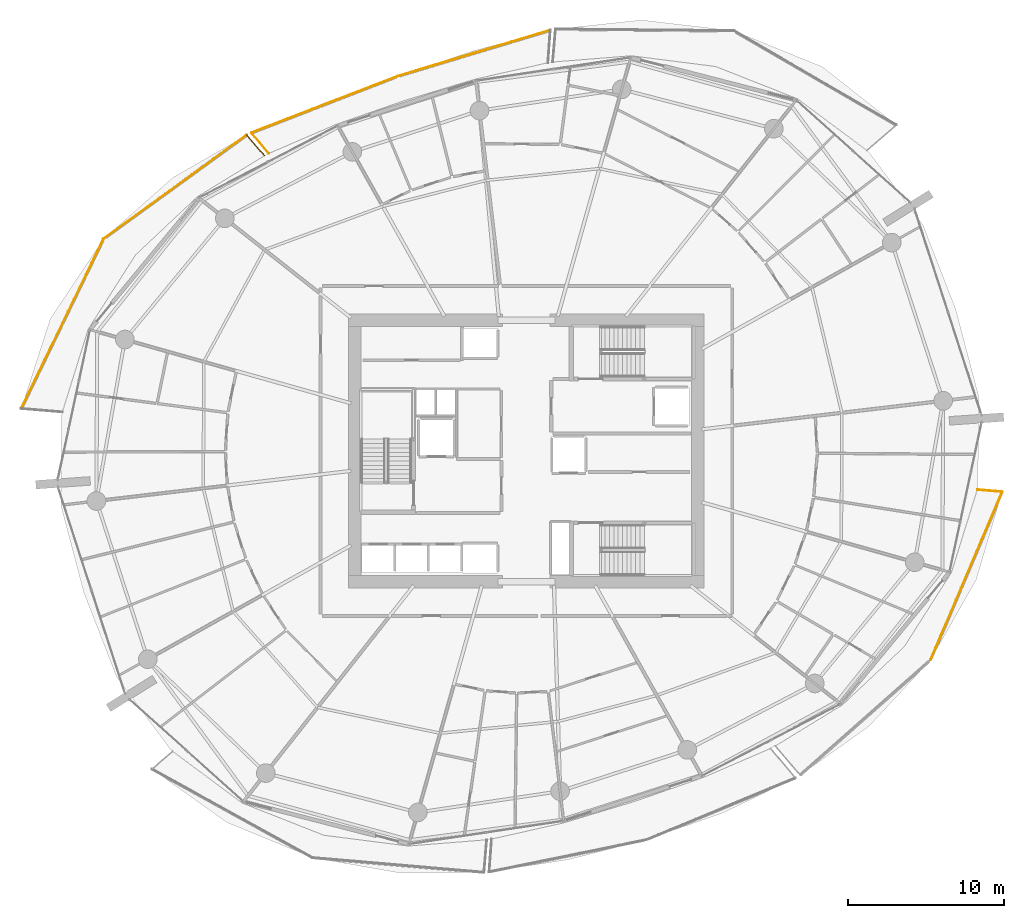
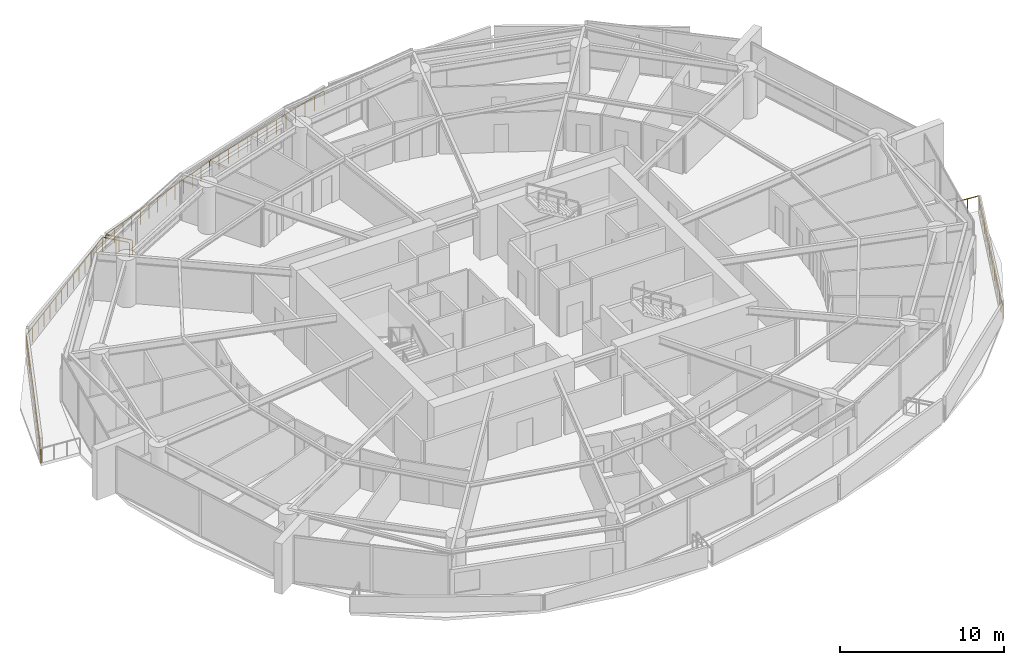
# One storey, part 21 of 23: 8 railings.
"""IFC4 building model written with IfcOpenShell, lengths in metres."""

import ifcopenshell
import ifcopenshell.guid

model = None  # the IFC model being written
_history = None  # IfcOwnerHistory: only IFC2X3 demands one
_inside = {}  # id of a spatial element -> (the spatial element, [elements in it])
_under = {}  # id of a project, library or spatial element -> (it, [spatial elements below it])
_declared = {}  # id of a project -> (the project, [libraries it declares])
_typed = {}  # id of a type object -> (the type object, [elements of that type])
_made_of = {}  # id of a material, layer set ... -> (it, [elements and type objects made of it])


def new_model(schema):
    """Start an empty IFC model of exactly this schema.

    Asked for "IFC4X3", IfcOpenShell would pick the latest addendum, in which some entities
    have other attributes; the version numbers below select the first issue.
    IFC2X3 requires an IfcOwnerHistory on every rooted entity: one is made here for all.
    """
    global model, _history
    if schema == "IFC4X3":
        model = ifcopenshell.file(schema_version=(4, 3, 0, 0))
    else:
        model = ifcopenshell.file(schema=schema)
    _inside.clear()
    _under.clear()
    _declared.clear()
    _typed.clear()
    _made_of.clear()
    _history = None
    if model.schema == "IFC2X3":
        org = make("IfcOrganization", Name="unknown")
        user = make(
            "IfcPersonAndOrganization",
            ThePerson=make("IfcPerson", FamilyName="unknown"),
            TheOrganization=org,
        )
        app = make(
            "IfcApplication",
            ApplicationDeveloper=org,
            Version="unknown",
            ApplicationFullName="unknown",
            ApplicationIdentifier="unknown",
        )
        _history = make(
            "IfcOwnerHistory",
            OwningUser=user,
            OwningApplication=app,
            ChangeAction="ADDED",
            CreationDate=0,
        )
    return model


def make(cls, **values):
    """One entity of the class cls with the attributes given. An attribute that is None is left unset."""
    return model.create_entity(
        cls, **{name: value for name, value in values.items() if value is not None}
    )


def rooted(cls, **values):
    """An entity with a GlobalId (a new one), such as an element, a storey or a relation."""
    return make(cls, GlobalId=ifcopenshell.guid.new(), OwnerHistory=_history, **values)


def si_unit(unit_type, name, prefix=None):
    """IfcSIUnit, for example si_unit("LENGTHUNIT", "METRE", prefix="MILLI")."""
    return make("IfcSIUnit", UnitType=unit_type, Prefix=prefix, Name=name)


def assignment(units):
    """IfcUnitAssignment: the units of a project."""
    return None if units is None else make("IfcUnitAssignment", Units=units)


def point(xyz):
    """IfcCartesianPoint."""
    return None if xyz is None else make("IfcCartesianPoint", Coordinates=xyz)


def direction(xyz):
    """IfcDirection."""
    return None if xyz is None else make("IfcDirection", DirectionRatios=xyz)


def frame(location, z_axis=None, x_axis=None):
    """IfcAxis2Placement3D, a coordinate frame: its origin and axes. An axis left out is left unset."""
    return make(
        "IfcAxis2Placement3D",
        Location=point(location),
        Axis=direction(z_axis),
        RefDirection=direction(x_axis),
    )


def frame_2d(location, x_axis=None):
    """IfcAxis2Placement2D, a coordinate frame in the plane: its origin and x axis."""
    return make(
        "IfcAxis2Placement2D", Location=point(location), RefDirection=direction(x_axis)
    )


def origin():
    """The frame at (0, 0, 0) with its axes left unset."""
    return frame((0.0, 0.0, 0.0))


def origin_2d():
    """The frame at (0, 0) in the plane with its x axis left unset."""
    return frame_2d((0.0, 0.0))


def place(relative_to, where):
    """IfcLocalPlacement: puts the frame where relative to a parent placement (None: the world)."""
    return make(
        "IfcLocalPlacement", PlacementRelTo=relative_to, RelativePlacement=where
    )


def context(
    kind, dimensions, precision=None, world=None, true_north=None, identifier=None
):
    """IfcGeometricRepresentationContext, for example the 3D "Model" context."""
    return make(
        "IfcGeometricRepresentationContext",
        ContextIdentifier=identifier,
        ContextType=kind,
        CoordinateSpaceDimension=dimensions,
        Precision=precision,
        WorldCoordinateSystem=world,
        TrueNorth=true_north,
    )


def subcontext(parent, identifier, kind, view, scale=None):
    """IfcGeometricRepresentationSubContext, for example "Body" below "Model"."""
    return make(
        "IfcGeometricRepresentationSubContext",
        ContextIdentifier=identifier,
        ContextType=kind,
        ParentContext=parent,
        TargetScale=scale,
        TargetView=view,
    )


def project(units=None, contexts=None):
    """IfcProject with its units and contexts."""
    return rooted(
        "IfcProject",
        Name="project",
        RepresentationContexts=contexts,
        UnitsInContext=assignment(units),
    )


def spatial(cls, under=None, at=None, **own):
    """A site, building, storey or space (cls), placed at a placement, below another one or the project."""
    s = rooted(cls, ObjectPlacement=at, **own)
    if under is not None:
        _under.setdefault(under.id(), (under, []))[1].append(s)
    return s


def profile(cls, at=None, kind="AREA", **sizes):
    """A parametric profile (cls). Its sizes go by their IFC names, for example OverallWidth=200.0."""
    return make(cls, ProfileType=kind, Position=at, **sizes)


def rectangle(**sizes):
    """IfcRectangleProfileDef."""
    return profile("IfcRectangleProfileDef", **sizes)


def extrude(swept, where, along, depth):
    """IfcExtrudedAreaSolid: the profile swept, set in the frame where, extruded along a direction by depth."""
    return make(
        "IfcExtrudedAreaSolid",
        SweptArea=swept,
        Position=where,
        ExtrudedDirection=direction(along),
        Depth=depth,
    )


def shape(context_of_items, identifier, shape_type, items):
    """IfcShapeRepresentation: the items that make up one representation, for example the "Body"."""
    return make(
        "IfcShapeRepresentation",
        ContextOfItems=context_of_items,
        RepresentationIdentifier=identifier,
        RepresentationType=shape_type,
        Items=items,
    )


def material(Name=None, Category=None):
    """IfcMaterial."""
    return make("IfcMaterial", Name=Name, Category=Category)


def made_of(thing, what):
    """Note that an element or type object is made of a material, layer set ...; save() writes the relation."""
    if what is not None:
        _made_of.setdefault(what.id(), (what, []))[1].append(thing)
    return thing


def type_object(cls, material=None, **own):
    """A type object (cls), such as IfcWallType, which elements share."""
    return made_of(rooted(cls, **own), material)


def element(
    cls,
    number,
    at=None,
    inside=None,
    cuts=None,
    type_object=None,
    material=None,
    context=None,
    identifier="Body",
    shape_type=None,
    held_by="IfcProductDefinitionShape",
    body=None,
    shapes=None,
    **own,
):
    """One element of the class cls, such as IfcWall. Its Tag is "e" and its number.

    at: its placement. inside: the storey or other place that contains it. cuts: it is an
    opening in that element (IfcRelVoidsElement). A single representation is given by context,
    identifier, shape_type and body (its items); several are given by shapes. held_by: the class
    of the entity that holds the representations. save() writes the other relations.
    """
    e = rooted(cls, Tag="e%d" % number, ObjectPlacement=at, **own)
    if body is not None:
        shapes = [shape(context, identifier, shape_type, body)]
    if shapes is not None:
        e.Representation = make(held_by, Representations=shapes)
    if inside is not None:
        _inside.setdefault(inside.id(), (inside, []))[1].append(e)
    if cuts is not None:
        rooted(
            "IfcRelVoidsElement", RelatingBuildingElement=cuts, RelatedOpeningElement=e
        )
    if type_object is not None:
        _typed.setdefault(type_object.id(), (type_object, []))[1].append(e)
    return made_of(e, material)


def aggregate(whole, parts):
    """IfcRelAggregates: a whole, such as a stair, and the parts it consists of."""
    return rooted("IfcRelAggregates", RelatingObject=whole, RelatedObjects=parts)


def save(model, path):
    """Write the relations noted so far, then the file.

    IfcRelAggregates (storeys below a building ...), IfcRelContainedInSpatialStructure (elements
    in a storey), IfcRelDefinesByType, IfcRelAssociatesMaterial and IfcRelDeclares: one each for
    every whole, place, type object, material and project.
    """
    for whole, parts in _under.values():
        aggregate(whole, parts)
    for where, things in _inside.values():
        rooted(
            "IfcRelContainedInSpatialStructure",
            RelatedElements=things,
            RelatingStructure=where,
        )
    for kind, things in _typed.values():
        rooted("IfcRelDefinesByType", RelatedObjects=things, RelatingType=kind)
    for what, things in _made_of.values():
        rooted("IfcRelAssociatesMaterial", RelatedObjects=things, RelatingMaterial=what)
    for by, libraries in _declared.values():
        rooted("IfcRelDeclares", RelatingContext=by, RelatedDefinitions=libraries)
    model.write(path)


model = new_model("IFC4")

# Units and contexts
model_context = context("Model", 3, precision=1e-05, world=origin(), true_north=direction((0.0, 1.0)))
body_context = subcontext(model_context, "Body", "Model", "MODEL_VIEW")
ifc_project = project(units=[si_unit("LENGTHUNIT", "METRE"), si_unit("AREAUNIT", "SQUARE_METRE"), si_unit("VOLUMEUNIT", "CUBIC_METRE"), si_unit("PLANEANGLEUNIT", "RADIAN"), si_unit("MASSUNIT", "GRAM", prefix="KILO")], contexts=[model_context])

# Site, building, storey
site_placement = place(None, origin())
site = spatial("IfcSite", under=ifc_project, at=site_placement, CompositionType="ELEMENT")
building_placement = place(site_placement, origin())
building = spatial("IfcBuilding", under=site, at=building_placement, Name="Kazma Halo Residences", CompositionType="ELEMENT")
storey_placement = place(building_placement, frame((0.0, 0.0, 101.39990234375)))
storey = spatial("IfcBuildingStorey", under=building, at=storey_placement, Name="L25", CompositionType="ELEMENT", Elevation=101.39990234375)

# Railings
ifc_material = material(Name="Aluminium AW-6063 T6 Brushed Cap Rail", Category="aluminium")
railing_type = type_object("IfcRailingType", Name="RLG-BAL-CAP-1120", PredefinedType="BALUSTRADE", material=ifc_material)
railing_1_placement = place(storey_placement, frame((49.961669921875, 69.035888671875, 0.0)))
element("IfcRailing", 1, at=railing_1_placement, inside=storey, type_object=railing_type, Name="L25 NNW wave balcony guard 2", PredefinedType="BALUSTRADE", context=body_context, shape_type="SweptSolid", body=[
    extrude(rectangle(XDim=0.050048828125, YDim=0.050048828125, at=origin_2d()), frame((-0.040771484375, -0.01220703125, 1.09521484375), z_axis=(-0.957357003907, -0.288907540694, 0.0), x_axis=(0.288907540694, -0.957357003907, 0.0)), (0.0, 0.0, 1.0), 10.137451171875),
    extrude(rectangle(XDim=0.0400390625, YDim=0.0400390625, at=origin_2d()), origin(), (0.0, 0.0, 1.0), 1.05810546875),
    extrude(rectangle(XDim=0.0400390625, YDim=0.0400390625, at=origin_2d()), frame((-0.8154296875, -0.24609375, 0.0)), (0.0, 0.0, 1.0), 1.05810546875),
    extrude(rectangle(XDim=0.0400390625, YDim=0.0400390625, at=origin_2d()), frame((-1.631103515625, -0.4921875, 0.0)), (0.0, 0.0, 1.0), 1.05810546875),
    extrude(rectangle(XDim=0.0400390625, YDim=0.0400390625, at=origin_2d()), frame((-2.44677734375, -0.73828125, 0.0)), (0.0, 0.0, 1.0), 1.05810546875),
    extrude(rectangle(XDim=0.0400390625, YDim=0.0400390625, at=origin_2d()), frame((-3.26220703125, -0.984375, 0.0)), (0.0, 0.0, 1.0), 1.05810546875),
    extrude(rectangle(XDim=0.0400390625, YDim=0.0400390625, at=origin_2d()), frame((-4.07763671875, -1.23046875, 0.0)), (0.0, 0.0, 1.0), 1.05810546875),
    extrude(rectangle(XDim=0.0400390625, YDim=0.0400390625, at=origin_2d()), frame((-4.893310546875, -1.4765625, 0.0)), (0.0, 0.0, 1.0), 1.05810546875),
    extrude(rectangle(XDim=0.0400390625, YDim=0.0400390625, at=origin_2d()), frame((-5.708984375, -1.722900390625, 0.0)), (0.0, 0.0, 1.0), 1.05810546875),
    extrude(rectangle(XDim=0.0400390625, YDim=0.0400390625, at=origin_2d()), frame((-6.5244140625, -1.968994140625, 0.0)), (0.0, 0.0, 1.0), 1.05810546875),
    extrude(rectangle(XDim=0.0400390625, YDim=0.0400390625, at=origin_2d()), frame((-7.33984375, -2.215087890625, 0.0)), (0.0, 0.0, 1.0), 1.05810546875),
    extrude(rectangle(XDim=0.0400390625, YDim=0.0400390625, at=origin_2d()), frame((-8.155517578125, -2.461181640625, 0.0)), (0.0, 0.0, 1.0), 1.05810546875),
    extrude(rectangle(XDim=0.0400390625, YDim=0.0400390625, at=origin_2d()), frame((-8.97119140625, -2.707275390625, 0.0)), (0.0, 0.0, 1.0), 1.05810546875),
    extrude(rectangle(XDim=0.0400390625, YDim=0.0400390625, at=origin_2d()), frame((-9.78662109375, -2.953369140625, 0.0)), (0.0, 0.0, 1.0), 1.05810546875),
])
railing_2_placement = place(storey_placement, frame((40.175048828125, 66.08251953125, 0.0)))
element("IfcRailing", 2, at=railing_2_placement, inside=storey, type_object=railing_type, Name="L25 NNW wave balcony guard 3", PredefinedType="BALUSTRADE", context=body_context, shape_type="SweptSolid", body=[
    extrude(rectangle(XDim=0.050048828125, YDim=0.050048828125, at=origin_2d()), frame((-0.039794921875, -0.015380859375, 1.09521484375), z_axis=(-0.93269853064, -0.360656971293, 0.0), x_axis=(0.360656971293, -0.93269853064, 0.0)), (0.0, 0.0, 1.0), 10.0126953125),
    extrude(rectangle(XDim=0.0400390625, YDim=0.0400390625, at=origin_2d()), origin(), (0.0, 0.0, 1.0), 1.05810546875),
    extrude(rectangle(XDim=0.0400390625, YDim=0.0400390625, at=origin_2d()), frame((-0.784912109375, -0.303466796875, 0.0)), (0.0, 0.0, 1.0), 1.05810546875),
    extrude(rectangle(XDim=0.0400390625, YDim=0.0400390625, at=origin_2d()), frame((-1.56982421875, -0.60693359375, 0.0)), (0.0, 0.0, 1.0), 1.05810546875),
    extrude(rectangle(XDim=0.0400390625, YDim=0.0400390625, at=origin_2d()), frame((-2.3544921875, -0.910400390625, 0.0)), (0.0, 0.0, 1.0), 1.05810546875),
    extrude(rectangle(XDim=0.0400390625, YDim=0.0400390625, at=origin_2d()), frame((-3.139404296875, -1.2138671875, 0.0)), (0.0, 0.0, 1.0), 1.05810546875),
    extrude(rectangle(XDim=0.0400390625, YDim=0.0400390625, at=origin_2d()), frame((-3.92431640625, -1.517333984375, 0.0)), (0.0, 0.0, 1.0), 1.05810546875),
    extrude(rectangle(XDim=0.0400390625, YDim=0.0400390625, at=origin_2d()), frame((-4.708984375, -1.82080078125, 0.0)), (0.0, 0.0, 1.0), 1.05810546875),
    extrude(rectangle(XDim=0.0400390625, YDim=0.0400390625, at=origin_2d()), frame((-5.493896484375, -2.12451171875, 0.0)), (0.0, 0.0, 1.0), 1.05810546875),
    extrude(rectangle(XDim=0.0400390625, YDim=0.0400390625, at=origin_2d()), frame((-6.27880859375, -2.427978515625, 0.0)), (0.0, 0.0, 1.0), 1.05810546875),
    extrude(rectangle(XDim=0.0400390625, YDim=0.0400390625, at=origin_2d()), frame((-7.063720703125, -2.7314453125, 0.0)), (0.0, 0.0, 1.0), 1.05810546875),
    extrude(rectangle(XDim=0.0400390625, YDim=0.0400390625, at=origin_2d()), frame((-7.8486328125, -3.034912109375, 0.0)), (0.0, 0.0, 1.0), 1.05810546875),
    extrude(rectangle(XDim=0.0400390625, YDim=0.0400390625, at=origin_2d()), frame((-8.63330078125, -3.33837890625, 0.0)), (0.0, 0.0, 1.0), 1.05810546875),
    extrude(rectangle(XDim=0.0400390625, YDim=0.0400390625, at=origin_2d()), frame((-9.418212890625, -3.641845703125, 0.0)), (0.0, 0.0, 1.0), 1.05810546875),
])
railing_3_placement = place(storey_placement, frame((30.7568359375, 62.440673828125, 0.0)))
element("IfcRailing", 3, at=railing_3_placement, inside=storey, type_object=railing_type, Name="L25 NNW wave balcony guard 4", PredefinedType="BALUSTRADE", context=body_context, shape_type="SweptSolid", body=[
    extrude(rectangle(XDim=0.050048828125, YDim=0.050048828125, at=origin_2d()), frame((0.02734375, -0.032470703125, 1.09521484375), z_axis=(0.644765362602, -0.764380551289, 0.0), x_axis=(0.764380551289, 0.644765362602, 0.0)), (0.0, 0.0, 1.0), 1.645751953125),
    extrude(rectangle(XDim=0.0400390625, YDim=0.0400390625, at=origin_2d()), origin(), (0.0, 0.0, 1.0), 1.05810546875),
    extrude(rectangle(XDim=0.0400390625, YDim=0.0400390625, at=origin_2d()), frame((0.55810546875, -0.66162109375, 0.0)), (0.0, 0.0, 1.0), 1.05810546875),
    extrude(rectangle(XDim=0.0400390625, YDim=0.0400390625, at=origin_2d()), frame((1.115966796875, -1.322998046875, 0.0)), (0.0, 0.0, 1.0), 1.05810546875),
])
railing_4_placement = place(storey_placement, frame((31.59423828125, 60.972900390625, 0.0)))
element("IfcRailing", 4, at=railing_4_placement, inside=storey, type_object=railing_type, Name="L25 NW wave balcony guard 1", PredefinedType="BALUSTRADE", context=body_context, shape_type="SweptSolid", body=[
    extrude(rectangle(XDim=0.050048828125, YDim=0.050048828125, at=origin_2d()), frame((-0.02783203125, 0.0322265625, 1.09521484375), z_axis=(-0.654164883595, 0.756351971685, 0.0), x_axis=(-0.756351971685, -0.654164883595, 0.0)), (0.0, 0.0, 1.0), 1.663818359375),
    extrude(rectangle(XDim=0.0400390625, YDim=0.0400390625, at=origin_2d()), origin(), (0.0, 0.0, 1.0), 1.05810546875),
    extrude(rectangle(XDim=0.0400390625, YDim=0.0400390625, at=origin_2d()), frame((-0.572021484375, 0.661376953125, 0.0)), (0.0, 0.0, 1.0), 1.05810546875),
    extrude(rectangle(XDim=0.0400390625, YDim=0.0400390625, at=origin_2d()), frame((-1.14404296875, 1.32275390625, 0.0)), (0.0, 0.0, 1.0), 1.05810546875),
])
railing_5_placement = place(storey_placement, frame((30.4501953125, 62.295654296875, 0.0)))
element("IfcRailing", 5, at=railing_5_placement, inside=storey, type_object=railing_type, Name="L25 NW wave balcony guard 2", PredefinedType="BALUSTRADE", context=body_context, shape_type="SweptSolid", body=[
    extrude(rectangle(XDim=0.050048828125, YDim=0.050048828125, at=origin_2d()), frame((-0.034423828125, -0.02490234375, 1.09521484375), z_axis=(-0.809768191788, -0.586749925921, 0.0), x_axis=(0.586749925921, -0.809768191788, 0.0)), (0.0, 0.0, 1.0), 11.27587890625),
    extrude(rectangle(XDim=0.0400390625, YDim=0.0400390625, at=origin_2d()), origin(), (0.0, 0.0, 1.0), 1.05810546875),
    extrude(rectangle(XDim=0.0400390625, YDim=0.0400390625, at=origin_2d()), frame((-0.707763671875, -0.5126953125, 0.0)), (0.0, 0.0, 1.0), 1.05810546875),
    extrude(rectangle(XDim=0.0400390625, YDim=0.0400390625, at=origin_2d()), frame((-1.415283203125, -1.025634765625, 0.0)), (0.0, 0.0, 1.0), 1.05810546875),
    extrude(rectangle(XDim=0.0400390625, YDim=0.0400390625, at=origin_2d()), frame((-2.123046875, -1.538330078125, 0.0)), (0.0, 0.0, 1.0), 1.05810546875),
    extrude(rectangle(XDim=0.0400390625, YDim=0.0400390625, at=origin_2d()), frame((-2.83056640625, -2.051025390625, 0.0)), (0.0, 0.0, 1.0), 1.05810546875),
    extrude(rectangle(XDim=0.0400390625, YDim=0.0400390625, at=origin_2d()), frame((-3.538330078125, -2.56396484375, 0.0)), (0.0, 0.0, 1.0), 1.05810546875),
    extrude(rectangle(XDim=0.0400390625, YDim=0.0400390625, at=origin_2d()), frame((-4.24609375, -3.07666015625, 0.0)), (0.0, 0.0, 1.0), 1.05810546875),
    extrude(rectangle(XDim=0.0400390625, YDim=0.0400390625, at=origin_2d()), frame((-4.95361328125, -3.58935546875, 0.0)), (0.0, 0.0, 1.0), 1.05810546875),
    extrude(rectangle(XDim=0.0400390625, YDim=0.0400390625, at=origin_2d()), frame((-5.661376953125, -4.10205078125, 0.0)), (0.0, 0.0, 1.0), 1.05810546875),
    extrude(rectangle(XDim=0.0400390625, YDim=0.0400390625, at=origin_2d()), frame((-6.369140625, -4.614990234375, 0.0)), (0.0, 0.0, 1.0), 1.05810546875),
    extrude(rectangle(XDim=0.0400390625, YDim=0.0400390625, at=origin_2d()), frame((-7.07666015625, -5.127685546875, 0.0)), (0.0, 0.0, 1.0), 1.05810546875),
    extrude(rectangle(XDim=0.0400390625, YDim=0.0400390625, at=origin_2d()), frame((-7.784423828125, -5.640380859375, 0.0)), (0.0, 0.0, 1.0), 1.05810546875),
    extrude(rectangle(XDim=0.0400390625, YDim=0.0400390625, at=origin_2d()), frame((-8.491943359375, -6.1533203125, 0.0)), (0.0, 0.0, 1.0), 1.05810546875),
    extrude(rectangle(XDim=0.0400390625, YDim=0.0400390625, at=origin_2d()), frame((-9.19970703125, -6.666015625, 0.0)), (0.0, 0.0, 1.0), 1.05810546875),
])
railing_6_placement = place(storey_placement, frame((21.25048828125, 55.629638671875, 0.0)))
element("IfcRailing", 6, at=railing_6_placement, inside=storey, type_object=railing_type, Name="L25 NW wave balcony guard 3", PredefinedType="BALUSTRADE", context=body_context, shape_type="SweptSolid", body=[
    extrude(rectangle(XDim=0.050048828125, YDim=0.050048828125, at=origin_2d()), frame((-0.0185546875, -0.038330078125, 1.09521484375), z_axis=(-0.436112940229, -0.899891939827, 0.0), x_axis=(0.899891939827, -0.436112940229, 0.0)), (0.0, 0.0, 1.0), 12.039794921875),
    extrude(rectangle(XDim=0.0400390625, YDim=0.0400390625, at=origin_2d()), origin(), (0.0, 0.0, 1.0), 1.05810546875),
    extrude(rectangle(XDim=0.0400390625, YDim=0.0400390625, at=origin_2d()), frame((-0.377685546875, -0.779296875, 0.0)), (0.0, 0.0, 1.0), 1.05810546875),
    extrude(rectangle(XDim=0.0400390625, YDim=0.0400390625, at=origin_2d()), frame((-0.75537109375, -1.558837890625, 0.0)), (0.0, 0.0, 1.0), 1.05810546875),
    extrude(rectangle(XDim=0.0400390625, YDim=0.0400390625, at=origin_2d()), frame((-1.133056640625, -2.338134765625, 0.0)), (0.0, 0.0, 1.0), 1.05810546875),
    extrude(rectangle(XDim=0.0400390625, YDim=0.0400390625, at=origin_2d()), frame((-1.5107421875, -3.117431640625, 0.0)), (0.0, 0.0, 1.0), 1.05810546875),
    extrude(rectangle(XDim=0.0400390625, YDim=0.0400390625, at=origin_2d()), frame((-1.888427734375, -3.896728515625, 0.0)), (0.0, 0.0, 1.0), 1.05810546875),
    extrude(rectangle(XDim=0.0400390625, YDim=0.0400390625, at=origin_2d()), frame((-2.26611328125, -4.67626953125, 0.0)), (0.0, 0.0, 1.0), 1.05810546875),
    extrude(rectangle(XDim=0.0400390625, YDim=0.0400390625, at=origin_2d()), frame((-2.64404296875, -5.45556640625, 0.0)), (0.0, 0.0, 1.0), 1.05810546875),
    extrude(rectangle(XDim=0.0400390625, YDim=0.0400390625, at=origin_2d()), frame((-3.021728515625, -6.23486328125, 0.0)), (0.0, 0.0, 1.0), 1.05810546875),
    extrude(rectangle(XDim=0.0400390625, YDim=0.0400390625, at=origin_2d()), frame((-3.3994140625, -7.014404296875, 0.0)), (0.0, 0.0, 1.0), 1.05810546875),
    extrude(rectangle(XDim=0.0400390625, YDim=0.0400390625, at=origin_2d()), frame((-3.777099609375, -7.793701171875, 0.0)), (0.0, 0.0, 1.0), 1.05810546875),
    extrude(rectangle(XDim=0.0400390625, YDim=0.0400390625, at=origin_2d()), frame((-4.15478515625, -8.572998046875, 0.0)), (0.0, 0.0, 1.0), 1.05810546875),
    extrude(rectangle(XDim=0.0400390625, YDim=0.0400390625, at=origin_2d()), frame((-4.532470703125, -9.352294921875, 0.0)), (0.0, 0.0, 1.0), 1.05810546875),
    extrude(rectangle(XDim=0.0400390625, YDim=0.0400390625, at=origin_2d()), frame((-4.91015625, -10.1318359375, 0.0)), (0.0, 0.0, 1.0), 1.05810546875),
    extrude(rectangle(XDim=0.0400390625, YDim=0.0400390625, at=origin_2d()), frame((-5.287841796875, -10.9111328125, 0.0)), (0.0, 0.0, 1.0), 1.05810546875),
])
railing_7_placement = place(storey_placement, frame((74.39501953125, 28.551025390625, 0.0)))
element("IfcRailing", 7, at=railing_7_placement, inside=storey, type_object=railing_type, Name="L25 SE wave balcony guard 3", PredefinedType="BALUSTRADE", context=body_context, shape_type="SweptSolid", body=[
    extrude(rectangle(XDim=0.050048828125, YDim=0.050048828125, at=origin_2d()), frame((0.0166015625, 0.0390625, 1.09521484375), z_axis=(0.391745545121, 0.920073599163, 0.0), x_axis=(-0.920073599163, 0.391745545121, 0.0)), (0.0, 0.0, 1.0), 11.673095703125),
    extrude(rectangle(XDim=0.0400390625, YDim=0.0400390625, at=origin_2d()), origin(), (0.0, 0.0, 1.0), 1.05810546875),
    extrude(rectangle(XDim=0.0400390625, YDim=0.0400390625, at=origin_2d()), frame((0.3291015625, 0.772705078125, 0.0)), (0.0, 0.0, 1.0), 1.05810546875),
    extrude(rectangle(XDim=0.0400390625, YDim=0.0400390625, at=origin_2d()), frame((0.657958984375, 1.54541015625, 0.0)), (0.0, 0.0, 1.0), 1.05810546875),
    extrude(rectangle(XDim=0.0400390625, YDim=0.0400390625, at=origin_2d()), frame((0.987060546875, 2.318115234375, 0.0)), (0.0, 0.0, 1.0), 1.05810546875),
    extrude(rectangle(XDim=0.0400390625, YDim=0.0400390625, at=origin_2d()), frame((1.316162109375, 3.091064453125, 0.0)), (0.0, 0.0, 1.0), 1.05810546875),
    extrude(rectangle(XDim=0.0400390625, YDim=0.0400390625, at=origin_2d()), frame((1.64501953125, 3.86376953125, 0.0)), (0.0, 0.0, 1.0), 1.05810546875),
    extrude(rectangle(XDim=0.0400390625, YDim=0.0400390625, at=origin_2d()), frame((1.97412109375, 4.636474609375, 0.0)), (0.0, 0.0, 1.0), 1.05810546875),
    extrude(rectangle(XDim=0.0400390625, YDim=0.0400390625, at=origin_2d()), frame((2.30322265625, 5.4091796875, 0.0)), (0.0, 0.0, 1.0), 1.05810546875),
    extrude(rectangle(XDim=0.0400390625, YDim=0.0400390625, at=origin_2d()), frame((2.632080078125, 6.181884765625, 0.0)), (0.0, 0.0, 1.0), 1.05810546875),
    extrude(rectangle(XDim=0.0400390625, YDim=0.0400390625, at=origin_2d()), frame((2.961181640625, 6.95458984375, 0.0)), (0.0, 0.0, 1.0), 1.05810546875),
    extrude(rectangle(XDim=0.0400390625, YDim=0.0400390625, at=origin_2d()), frame((3.2900390625, 7.727294921875, 0.0)), (0.0, 0.0, 1.0), 1.05810546875),
    extrude(rectangle(XDim=0.0400390625, YDim=0.0400390625, at=origin_2d()), frame((3.619140625, 8.500244140625, 0.0)), (0.0, 0.0, 1.0), 1.05810546875),
    extrude(rectangle(XDim=0.0400390625, YDim=0.0400390625, at=origin_2d()), frame((3.9482421875, 9.27294921875, 0.0)), (0.0, 0.0, 1.0), 1.05810546875),
    extrude(rectangle(XDim=0.0400390625, YDim=0.0400390625, at=origin_2d()), frame((4.277099609375, 10.045654296875, 0.0)), (0.0, 0.0, 1.0), 1.05810546875),
    extrude(rectangle(XDim=0.0400390625, YDim=0.0400390625, at=origin_2d()), frame((4.606201171875, 10.818359375, 0.0)), (0.0, 0.0, 1.0), 1.05810546875),
])
railing_8_placement = place(storey_placement, frame((79.001220703125, 39.369384765625, 0.0)))
element("IfcRailing", 8, at=railing_8_placement, inside=storey, type_object=railing_type, Name="L25 SE wave balcony guard 4", PredefinedType="BALUSTRADE", context=body_context, shape_type="SweptSolid", body=[
    extrude(rectangle(XDim=0.050048828125, YDim=0.050048828125, at=origin_2d()), frame((-0.04248046875, 0.003662109375, 1.09521484375), z_axis=(-0.996408696043, 0.084674142751, 0.0), x_axis=(-0.084674142751, -0.996408696043, 0.0)), (0.0, 0.0, 1.0), 1.51513671875),
    extrude(rectangle(XDim=0.0400390625, YDim=0.0400390625, at=origin_2d()), origin(), (0.0, 0.0, 1.0), 1.05810546875),
    extrude(rectangle(XDim=0.0400390625, YDim=0.0400390625, at=origin_2d()), frame((-0.79736328125, 0.06787109375, 0.0)), (0.0, 0.0, 1.0), 1.05810546875),
    extrude(rectangle(XDim=0.0400390625, YDim=0.0400390625, at=origin_2d()), frame((-1.594482421875, 0.135498046875, 0.0)), (0.0, 0.0, 1.0), 1.05810546875),
])

save(model, "model.ifc")
